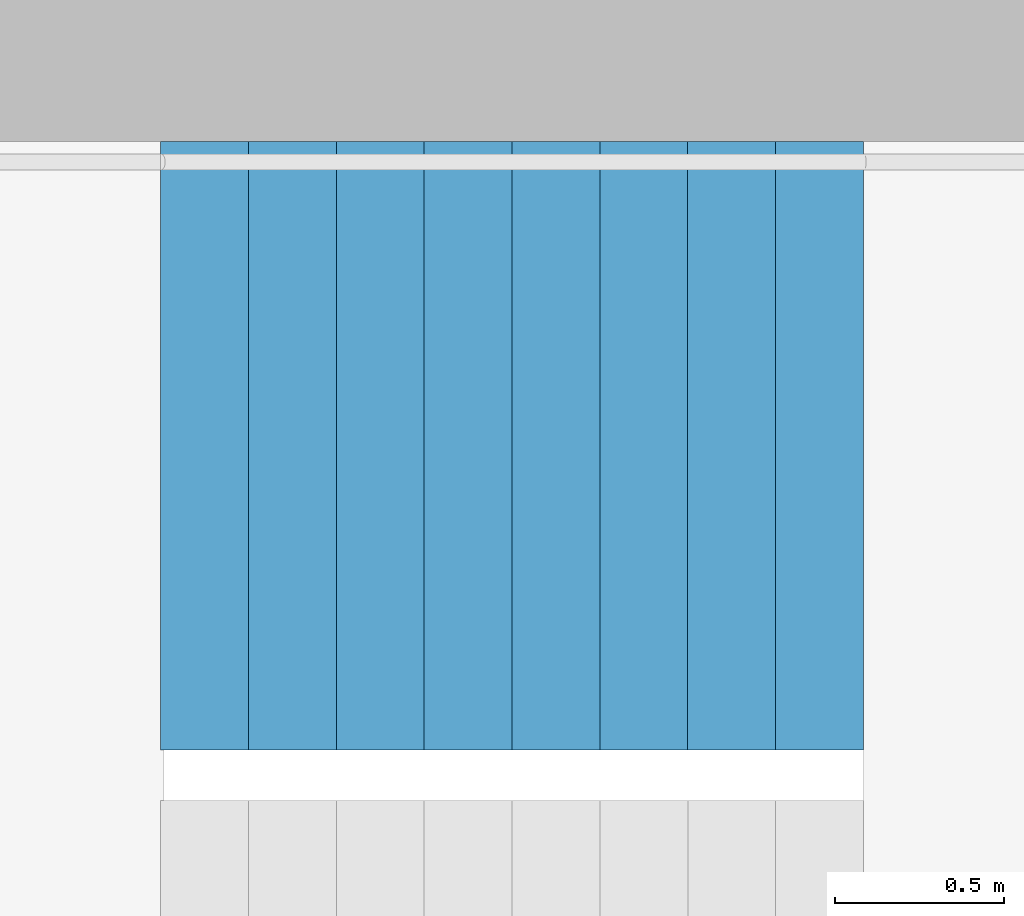
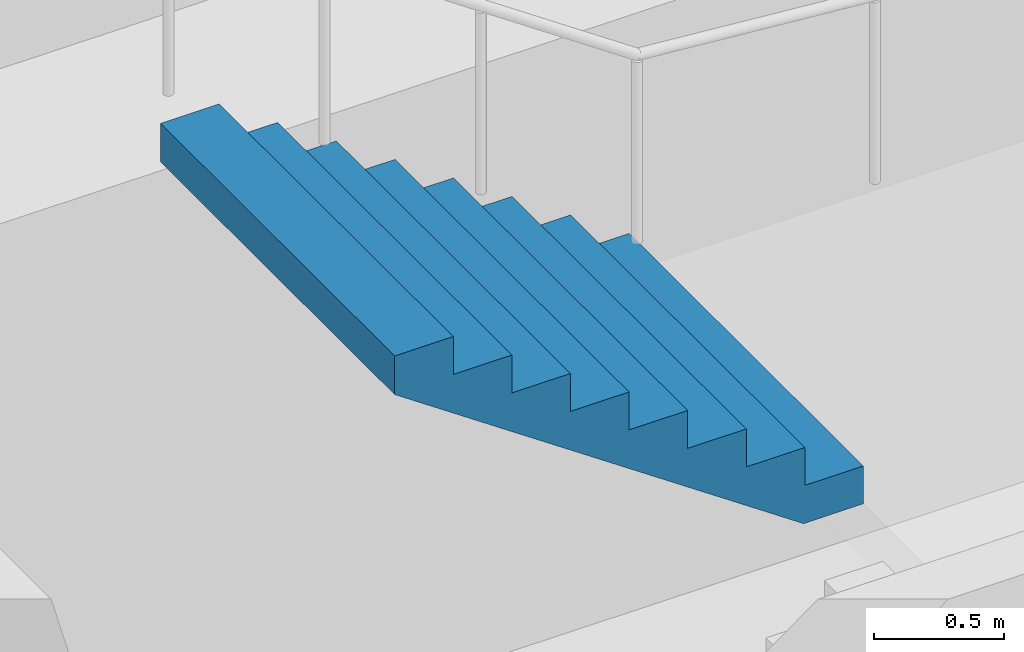
# One storey, part 24 of 36: 1 stair flight, 1 element without a shape of its own.
"""IFC4 building model written with IfcOpenShell, lengths in metres."""

from ifc_helpers import new_model, si_unit, direction, frame, origin, place, context, subcontext, project, spatial, triangles, material, type_object, element, aggregate, save


model = new_model("IFC4")

# Units and contexts
model_context = context("Model", 3, precision=1e-05, world=origin(), true_north=direction((0.0, 1.0)))
body_context = subcontext(model_context, "Body", "Model", "MODEL_VIEW")
ifc_project = project(units=[si_unit("LENGTHUNIT", "METRE"), si_unit("AREAUNIT", "SQUARE_METRE"), si_unit("VOLUMEUNIT", "CUBIC_METRE"), si_unit("PLANEANGLEUNIT", "RADIAN"), si_unit("MASSUNIT", "GRAM", prefix="KILO")], contexts=[model_context])

# Site, building, storey
site_placement = place(None, origin())
site = spatial("IfcSite", under=ifc_project, at=site_placement, CompositionType="ELEMENT")
building_placement = place(site_placement, origin())
building = spatial("IfcBuilding", under=site, at=building_placement, Name="Hakoniwa Tower and Hamabe Station Hall", CompositionType="ELEMENT")
storey_placement = place(building_placement, frame((0.0, 0.0, 26.199951171875)))
storey = spatial("IfcBuildingStorey", under=building, at=storey_placement, Name="L06", CompositionType="ELEMENT", Elevation=26.199951171875)

# Stair, stair flight
ifc_material_1 = material(Name="Concrete C40", Category="concrete")
stair_type = type_object("IfcStairType", Name="ESCAPE STAIR 1800", PredefinedType="HALF_TURN_STAIR", material=ifc_material_1)
stair_placement = place(storey_placement, origin())
stair = element("IfcStair", 1, at=stair_placement, inside=storey, type_object=stair_type, Name="Escape stair ST-1 L06", PredefinedType="HALF_TURN_STAIR")
ifc_material_2 = material(Name="Concrete C40", Category="concrete")
stair_flight_type = type_object("IfcStairFlightType", Name="STAIR FLIGHT 1800", PredefinedType="STRAIGHT", material=ifc_material_2)
stair_flight_placement = place(storey_placement, frame((-22.320068359375, 6.60009765625, 1.60009765625), z_axis=(0.0, 0.0, 1.0), x_axis=(-1.0, 0.0, 0.0)))
stair_flight = element("IfcStairFlight", 2, at=stair_flight_placement, type_object=stair_flight_type, Name="ST-1 flight 2", NumberOfRisers=9, NumberOfTreads=8, PredefinedType="STRAIGHT", RiserHeight=0.177777778, TreadLength=0.26, context=body_context, shape_type="Tessellation", body=[
    triangles([(0.0, 0.89990234375, 0.0), (0.260009765625, 0.89990234375, 0.0), (0.265625, 0.89990234375, 0.0), (0.52001953125, 0.89990234375, 0.174072265625), (0.780029296875, 0.89990234375, 0.351806640625), (1.0400390625, 0.89990234375, 0.529541015625), (1.300048828125, 0.89990234375, 0.707275390625), (1.56005859375, 0.89990234375, 0.885009765625), (1.820068359375, 0.89990234375, 1.062744140625), (2.080078125, 0.89990234375, 1.24072265625), (2.080078125, 0.89990234375, 1.422119140625), (1.820068359375, 0.89990234375, 1.422119140625), (1.820068359375, 0.89990234375, 1.244384765625), (1.56005859375, 0.89990234375, 1.244384765625), (1.56005859375, 0.89990234375, 1.066650390625), (1.300048828125, 0.89990234375, 1.066650390625), (1.300048828125, 0.89990234375, 0.888916015625), (1.0400390625, 0.89990234375, 0.888916015625), (1.0400390625, 0.89990234375, 0.711181640625), (0.780029296875, 0.89990234375, 0.711181640625), (0.780029296875, 0.89990234375, 0.533447265625), (0.52001953125, 0.89990234375, 0.533447265625), (0.52001953125, 0.89990234375, 0.35546875), (0.265625, 0.89990234375, 0.35546875), (0.260009765625, 0.89990234375, 0.35546875), (0.260009765625, 0.89990234375, 0.177734375), (0.0, 0.89990234375, 0.177734375), (0.0, 0.06005859375, 0.0), (0.260009765625, 0.06005859375, 0.0), (0.265625, 0.06005859375, 0.0), (0.52001953125, 0.06005859375, 0.174072265625), (0.780029296875, 0.06005859375, 0.351806640625), (1.0400390625, 0.06005859375, 0.529541015625), (1.300048828125, 0.06005859375, 0.707275390625), (1.56005859375, 0.06005859375, 0.885009765625), (1.820068359375, 0.06005859375, 1.062744140625), (2.080078125, 0.06005859375, 1.24072265625), (2.080078125, 0.06005859375, 1.422119140625), (1.820068359375, 0.06005859375, 1.422119140625), (1.820068359375, 0.06005859375, 1.244384765625), (1.56005859375, 0.06005859375, 1.244384765625), (1.56005859375, 0.06005859375, 1.066650390625), (1.300048828125, 0.06005859375, 1.066650390625), (1.300048828125, 0.06005859375, 0.888916015625), (1.0400390625, 0.06005859375, 0.888916015625), (1.0400390625, 0.06005859375, 0.711181640625), (0.780029296875, 0.06005859375, 0.711181640625), (0.780029296875, 0.06005859375, 0.533447265625), (0.52001953125, 0.06005859375, 0.533447265625), (0.52001953125, 0.06005859375, 0.35546875), (0.265625, 0.06005859375, 0.35546875), (0.260009765625, 0.06005859375, 0.35546875), (0.260009765625, 0.06005859375, 0.177734375), (0.0, 0.06005859375, 0.177734375), (0.0, 0.04296875, 0.0), (0.260009765625, 0.04296875, 0.0), (0.265625, 0.04296875, 0.0), (0.52001953125, 0.04296875, 0.174072265625), (0.780029296875, 0.04296875, 0.351806640625), (1.0400390625, 0.04296875, 0.529541015625), (1.300048828125, 0.04296875, 0.707275390625), (1.56005859375, 0.04296875, 0.885009765625), (1.820068359375, 0.04296875, 1.062744140625), (2.080078125, 0.04296875, 1.24072265625), (2.080078125, 0.04296875, 1.422119140625), (1.820068359375, 0.04296875, 1.422119140625), (1.820068359375, 0.04296875, 1.244384765625), (1.56005859375, 0.04296875, 1.244384765625), (1.56005859375, 0.04296875, 1.066650390625), (1.300048828125, 0.04296875, 1.066650390625), (1.300048828125, 0.04296875, 0.888916015625), (1.0400390625, 0.04296875, 0.888916015625), (1.0400390625, 0.04296875, 0.711181640625), (0.780029296875, 0.04296875, 0.711181640625), (0.780029296875, 0.04296875, 0.533447265625), (0.52001953125, 0.04296875, 0.533447265625), (0.52001953125, 0.04296875, 0.35546875), (0.265625, 0.04296875, 0.35546875), (0.260009765625, 0.04296875, 0.35546875), (0.260009765625, 0.04296875, 0.177734375), (0.0, 0.04296875, 0.177734375), (0.0, 0.025634765625, 0.0), (0.260009765625, 0.025634765625, 0.0), (0.265625, 0.025634765625, 0.0), (0.52001953125, 0.025634765625, 0.174072265625), (0.780029296875, 0.025634765625, 0.351806640625), (1.0400390625, 0.025634765625, 0.529541015625), (1.300048828125, 0.025634765625, 0.707275390625), (1.56005859375, 0.025634765625, 0.885009765625), (1.820068359375, 0.025634765625, 1.062744140625), (2.080078125, 0.025634765625, 1.24072265625), (2.080078125, 0.025634765625, 1.422119140625), (1.820068359375, 0.025634765625, 1.422119140625), (1.820068359375, 0.025634765625, 1.244384765625), (1.56005859375, 0.025634765625, 1.244384765625), (1.56005859375, 0.025634765625, 1.066650390625), (1.300048828125, 0.025634765625, 1.066650390625), (1.300048828125, 0.025634765625, 0.888916015625), (1.0400390625, 0.025634765625, 0.888916015625), (1.0400390625, 0.025634765625, 0.711181640625), (0.780029296875, 0.025634765625, 0.711181640625), (0.780029296875, 0.025634765625, 0.533447265625), (0.52001953125, 0.025634765625, 0.533447265625), (0.52001953125, 0.025634765625, 0.35546875), (0.265625, 0.025634765625, 0.35546875), (0.260009765625, 0.025634765625, 0.35546875), (0.260009765625, 0.025634765625, 0.177734375), (0.0, 0.025634765625, 0.177734375), (0.0, 0.008544921875, 0.0), (0.260009765625, 0.008544921875, 0.0), (0.265625, 0.008544921875, 0.0), (0.52001953125, 0.008544921875, 0.174072265625), (0.780029296875, 0.008544921875, 0.351806640625), (1.0400390625, 0.008544921875, 0.529541015625), (1.300048828125, 0.008544921875, 0.707275390625), (1.56005859375, 0.008544921875, 0.885009765625), (1.820068359375, 0.008544921875, 1.062744140625), (2.080078125, 0.008544921875, 1.24072265625), (2.080078125, 0.008544921875, 1.422119140625), (1.820068359375, 0.008544921875, 1.422119140625), (1.820068359375, 0.008544921875, 1.244384765625), (1.56005859375, 0.008544921875, 1.244384765625), (1.56005859375, 0.008544921875, 1.066650390625), (1.300048828125, 0.008544921875, 1.066650390625), (1.300048828125, 0.008544921875, 0.888916015625), (1.0400390625, 0.008544921875, 0.888916015625), (1.0400390625, 0.008544921875, 0.711181640625), (0.780029296875, 0.008544921875, 0.711181640625), (0.780029296875, 0.008544921875, 0.533447265625), (0.52001953125, 0.008544921875, 0.533447265625), (0.52001953125, 0.008544921875, 0.35546875), (0.265625, 0.008544921875, 0.35546875), (0.260009765625, 0.008544921875, 0.35546875), (0.260009765625, 0.008544921875, 0.177734375), (0.0, 0.008544921875, 0.177734375), (0.0, -0.008544921875, 0.0), (0.260009765625, -0.008544921875, 0.0), (0.265625, -0.008544921875, 0.0), (0.52001953125, -0.008544921875, 0.174072265625), (0.780029296875, -0.008544921875, 0.351806640625), (1.0400390625, -0.008544921875, 0.529541015625), (1.300048828125, -0.008544921875, 0.707275390625), (1.56005859375, -0.008544921875, 0.885009765625), (1.820068359375, -0.008544921875, 1.062744140625), (2.080078125, -0.008544921875, 1.24072265625), (2.080078125, -0.008544921875, 1.422119140625), (1.820068359375, -0.008544921875, 1.422119140625), (1.820068359375, -0.008544921875, 1.244384765625), (1.56005859375, -0.008544921875, 1.244384765625), (1.56005859375, -0.008544921875, 1.066650390625), (1.300048828125, -0.008544921875, 1.066650390625), (1.300048828125, -0.008544921875, 0.888916015625), (1.0400390625, -0.008544921875, 0.888916015625), (1.0400390625, -0.008544921875, 0.711181640625), (0.780029296875, -0.008544921875, 0.711181640625), (0.780029296875, -0.008544921875, 0.533447265625), (0.52001953125, -0.008544921875, 0.533447265625), (0.52001953125, -0.008544921875, 0.35546875), (0.265625, -0.008544921875, 0.35546875), (0.260009765625, -0.008544921875, 0.35546875), (0.260009765625, -0.008544921875, 0.177734375), (0.0, -0.008544921875, 0.177734375), (0.0, -0.025634765625, 0.0), (0.260009765625, -0.025634765625, 0.0), (0.265625, -0.025634765625, 0.0), (0.52001953125, -0.025634765625, 0.174072265625), (0.780029296875, -0.025634765625, 0.351806640625), (1.0400390625, -0.025634765625, 0.529541015625), (1.300048828125, -0.025634765625, 0.707275390625), (1.56005859375, -0.025634765625, 0.885009765625), (1.820068359375, -0.025634765625, 1.062744140625), (2.080078125, -0.025634765625, 1.24072265625), (2.080078125, -0.025634765625, 1.422119140625), (1.820068359375, -0.025634765625, 1.422119140625), (1.820068359375, -0.025634765625, 1.244384765625), (1.56005859375, -0.025634765625, 1.244384765625), (1.56005859375, -0.025634765625, 1.066650390625), (1.300048828125, -0.025634765625, 1.066650390625), (1.300048828125, -0.025634765625, 0.888916015625), (1.0400390625, -0.025634765625, 0.888916015625), (1.0400390625, -0.025634765625, 0.711181640625), (0.780029296875, -0.025634765625, 0.711181640625), (0.780029296875, -0.025634765625, 0.533447265625), (0.52001953125, -0.025634765625, 0.533447265625), (0.52001953125, -0.025634765625, 0.35546875), (0.265625, -0.025634765625, 0.35546875), (0.260009765625, -0.025634765625, 0.35546875), (0.260009765625, -0.025634765625, 0.177734375), (0.0, -0.025634765625, 0.177734375), (0.0, -0.04296875, 0.0), (0.260009765625, -0.04296875, 0.0), (0.265625, -0.04296875, 0.0), (0.52001953125, -0.04296875, 0.174072265625), (0.780029296875, -0.04296875, 0.351806640625), (1.0400390625, -0.04296875, 0.529541015625), (1.300048828125, -0.04296875, 0.707275390625), (1.56005859375, -0.04296875, 0.885009765625), (1.820068359375, -0.04296875, 1.062744140625), (2.080078125, -0.04296875, 1.24072265625), (2.080078125, -0.04296875, 1.422119140625), (1.820068359375, -0.04296875, 1.422119140625), (1.820068359375, -0.04296875, 1.244384765625), (1.56005859375, -0.04296875, 1.244384765625), (1.56005859375, -0.04296875, 1.066650390625), (1.300048828125, -0.04296875, 1.066650390625), (1.300048828125, -0.04296875, 0.888916015625), (1.0400390625, -0.04296875, 0.888916015625), (1.0400390625, -0.04296875, 0.711181640625), (0.780029296875, -0.04296875, 0.711181640625), (0.780029296875, -0.04296875, 0.533447265625), (0.52001953125, -0.04296875, 0.533447265625), (0.52001953125, -0.04296875, 0.35546875), (0.265625, -0.04296875, 0.35546875), (0.260009765625, -0.04296875, 0.35546875), (0.260009765625, -0.04296875, 0.177734375), (0.0, -0.04296875, 0.177734375), (0.0, -0.06005859375, 0.0), (0.260009765625, -0.06005859375, 0.0), (0.265625, -0.06005859375, 0.0), (0.52001953125, -0.06005859375, 0.174072265625), (0.780029296875, -0.06005859375, 0.351806640625), (1.0400390625, -0.06005859375, 0.529541015625), (1.300048828125, -0.06005859375, 0.707275390625), (1.56005859375, -0.06005859375, 0.885009765625), (1.820068359375, -0.06005859375, 1.062744140625), (2.080078125, -0.06005859375, 1.24072265625), (2.080078125, -0.06005859375, 1.422119140625), (1.820068359375, -0.06005859375, 1.422119140625), (1.820068359375, -0.06005859375, 1.244384765625), (1.56005859375, -0.06005859375, 1.244384765625), (1.56005859375, -0.06005859375, 1.066650390625), (1.300048828125, -0.06005859375, 1.066650390625), (1.300048828125, -0.06005859375, 0.888916015625), (1.0400390625, -0.06005859375, 0.888916015625), (1.0400390625, -0.06005859375, 0.711181640625), (0.780029296875, -0.06005859375, 0.711181640625), (0.780029296875, -0.06005859375, 0.533447265625), (0.52001953125, -0.06005859375, 0.533447265625), (0.52001953125, -0.06005859375, 0.35546875), (0.265625, -0.06005859375, 0.35546875), (0.260009765625, -0.06005859375, 0.35546875), (0.260009765625, -0.06005859375, 0.177734375), (0.0, -0.06005859375, 0.177734375), (0.0, -0.89990234375, 0.0), (0.260009765625, -0.89990234375, 0.0), (0.265625, -0.89990234375, 0.0), (0.52001953125, -0.89990234375, 0.174072265625), (0.780029296875, -0.89990234375, 0.351806640625), (1.0400390625, -0.89990234375, 0.529541015625), (1.300048828125, -0.89990234375, 0.707275390625), (1.56005859375, -0.89990234375, 0.885009765625), (1.820068359375, -0.89990234375, 1.062744140625), (2.080078125, -0.89990234375, 1.24072265625), (2.080078125, -0.89990234375, 1.422119140625), (1.820068359375, -0.89990234375, 1.422119140625), (1.820068359375, -0.89990234375, 1.244384765625), (1.56005859375, -0.89990234375, 1.244384765625), (1.56005859375, -0.89990234375, 1.066650390625), (1.300048828125, -0.89990234375, 1.066650390625), (1.300048828125, -0.89990234375, 0.888916015625), (1.0400390625, -0.89990234375, 0.888916015625), (1.0400390625, -0.89990234375, 0.711181640625), (0.780029296875, -0.89990234375, 0.711181640625), (0.780029296875, -0.89990234375, 0.533447265625), (0.52001953125, -0.89990234375, 0.533447265625), (0.52001953125, -0.89990234375, 0.35546875), (0.265625, -0.89990234375, 0.35546875), (0.260009765625, -0.89990234375, 0.35546875), (0.260009765625, -0.89990234375, 0.177734375), (0.0, -0.89990234375, 0.177734375)], [[2, 27, 26], [245, 269, 270], [2, 1, 27], [245, 270, 244], [3, 25, 24], [246, 267, 268], [3, 26, 25], [246, 268, 269], [3, 2, 26], [246, 269, 245], [4, 24, 23], [247, 266, 267], [4, 3, 24], [247, 267, 246], [5, 22, 21], [248, 264, 265], [5, 23, 22], [248, 265, 266], [5, 4, 23], [248, 266, 247], [6, 20, 19], [249, 262, 263], [6, 21, 20], [249, 263, 264], [6, 5, 21], [249, 264, 248], [7, 18, 17], [250, 260, 261], [7, 19, 18], [250, 261, 262], [7, 6, 19], [250, 262, 249], [8, 16, 15], [251, 258, 259], [8, 17, 16], [251, 259, 260], [8, 7, 17], [251, 260, 250], [9, 14, 13], [252, 256, 257], [9, 15, 14], [252, 257, 258], [9, 8, 15], [252, 258, 251], [10, 12, 11], [253, 254, 255], [10, 13, 12], [253, 255, 256], [10, 9, 13], [253, 256, 252], [1, 2, 29], [1, 29, 28], [28, 29, 56], [28, 56, 55], [55, 56, 83], [55, 83, 82], [82, 83, 110], [82, 110, 109], [109, 110, 137], [109, 137, 136], [136, 137, 164], [136, 164, 163], [163, 164, 191], [163, 191, 190], [190, 191, 218], [190, 218, 217], [217, 218, 245], [217, 245, 244], [2, 3, 30], [2, 30, 29], [29, 30, 57], [29, 57, 56], [56, 57, 84], [56, 84, 83], [83, 84, 111], [83, 111, 110], [110, 111, 138], [110, 138, 137], [137, 138, 165], [137, 165, 164], [164, 165, 192], [164, 192, 191], [191, 192, 219], [191, 219, 218], [218, 219, 246], [218, 246, 245], [3, 4, 31], [3, 31, 30], [30, 31, 58], [30, 58, 57], [57, 58, 85], [57, 85, 84], [84, 85, 112], [84, 112, 111], [111, 112, 139], [111, 139, 138], [138, 139, 166], [138, 166, 165], [165, 166, 193], [165, 193, 192], [192, 193, 220], [192, 220, 219], [219, 220, 247], [219, 247, 246], [4, 5, 32], [4, 32, 31], [31, 32, 59], [31, 59, 58], [58, 59, 86], [58, 86, 85], [85, 86, 113], [85, 113, 112], [112, 113, 140], [112, 140, 139], [139, 140, 167], [139, 167, 166], [166, 167, 194], [166, 194, 193], [193, 194, 221], [193, 221, 220], [220, 221, 248], [220, 248, 247], [5, 6, 33], [5, 33, 32], [32, 33, 60], [32, 60, 59], [59, 60, 87], [59, 87, 86], [86, 87, 114], [86, 114, 113], [113, 114, 141], [113, 141, 140], [140, 141, 168], [140, 168, 167], [167, 168, 195], [167, 195, 194], [194, 195, 222], [194, 222, 221], [221, 222, 249], [221, 249, 248], [6, 7, 34], [6, 34, 33], [33, 34, 61], [33, 61, 60], [60, 61, 88], [60, 88, 87], [87, 88, 115], [87, 115, 114], [114, 115, 142], [114, 142, 141], [141, 142, 169], [141, 169, 168], [168, 169, 196], [168, 196, 195], [195, 196, 223], [195, 223, 222], [222, 223, 250], [222, 250, 249], [7, 8, 35], [7, 35, 34], [34, 35, 62], [34, 62, 61], [61, 62, 89], [61, 89, 88], [88, 89, 116], [88, 116, 115], [115, 116, 143], [115, 143, 142], [142, 143, 170], [142, 170, 169], [169, 170, 197], [169, 197, 196], [196, 197, 224], [196, 224, 223], [223, 224, 251], [223, 251, 250], [8, 9, 36], [8, 36, 35], [35, 36, 63], [35, 63, 62], [62, 63, 90], [62, 90, 89], [89, 90, 117], [89, 117, 116], [116, 117, 144], [116, 144, 143], [143, 144, 171], [143, 171, 170], [170, 171, 198], [170, 198, 197], [197, 198, 225], [197, 225, 224], [224, 225, 252], [224, 252, 251], [9, 10, 37], [9, 37, 36], [36, 37, 64], [36, 64, 63], [63, 64, 91], [63, 91, 90], [90, 91, 118], [90, 118, 117], [117, 118, 145], [117, 145, 144], [144, 145, 172], [144, 172, 171], [171, 172, 199], [171, 199, 198], [198, 199, 226], [198, 226, 225], [225, 226, 253], [225, 253, 252], [10, 11, 38], [10, 38, 37], [37, 38, 65], [37, 65, 64], [64, 65, 92], [64, 92, 91], [91, 92, 119], [91, 119, 118], [118, 119, 146], [118, 146, 145], [145, 146, 173], [145, 173, 172], [172, 173, 200], [172, 200, 199], [199, 200, 227], [199, 227, 226], [226, 227, 254], [226, 254, 253], [11, 12, 39], [11, 39, 38], [38, 39, 66], [38, 66, 65], [65, 66, 93], [65, 93, 92], [92, 93, 120], [92, 120, 119], [119, 120, 147], [119, 147, 146], [146, 147, 174], [146, 174, 173], [173, 174, 201], [173, 201, 200], [200, 201, 228], [200, 228, 227], [227, 228, 255], [227, 255, 254], [12, 13, 40], [12, 40, 39], [39, 40, 67], [39, 67, 66], [66, 67, 94], [66, 94, 93], [93, 94, 121], [93, 121, 120], [120, 121, 148], [120, 148, 147], [147, 148, 175], [147, 175, 174], [174, 175, 202], [174, 202, 201], [201, 202, 229], [201, 229, 228], [228, 229, 256], [228, 256, 255], [13, 14, 41], [13, 41, 40], [40, 41, 68], [40, 68, 67], [67, 68, 95], [67, 95, 94], [94, 95, 122], [94, 122, 121], [121, 122, 149], [121, 149, 148], [148, 149, 176], [148, 176, 175], [175, 176, 203], [175, 203, 202], [202, 203, 230], [202, 230, 229], [229, 230, 257], [229, 257, 256], [14, 15, 42], [14, 42, 41], [41, 42, 69], [41, 69, 68], [68, 69, 96], [68, 96, 95], [95, 96, 123], [95, 123, 122], [122, 123, 150], [122, 150, 149], [149, 150, 177], [149, 177, 176], [176, 177, 204], [176, 204, 203], [203, 204, 231], [203, 231, 230], [230, 231, 258], [230, 258, 257], [15, 16, 43], [15, 43, 42], [42, 43, 70], [42, 70, 69], [69, 70, 97], [69, 97, 96], [96, 97, 124], [96, 124, 123], [123, 124, 151], [123, 151, 150], [150, 151, 178], [150, 178, 177], [177, 178, 205], [177, 205, 204], [204, 205, 232], [204, 232, 231], [231, 232, 259], [231, 259, 258], [16, 17, 44], [16, 44, 43], [43, 44, 71], [43, 71, 70], [70, 71, 98], [70, 98, 97], [97, 98, 125], [97, 125, 124], [124, 125, 152], [124, 152, 151], [151, 152, 179], [151, 179, 178], [178, 179, 206], [178, 206, 205], [205, 206, 233], [205, 233, 232], [232, 233, 260], [232, 260, 259], [17, 18, 45], [17, 45, 44], [44, 45, 72], [44, 72, 71], [71, 72, 99], [71, 99, 98], [98, 99, 126], [98, 126, 125], [125, 126, 153], [125, 153, 152], [152, 153, 180], [152, 180, 179], [179, 180, 207], [179, 207, 206], [206, 207, 234], [206, 234, 233], [233, 234, 261], [233, 261, 260], [18, 19, 46], [18, 46, 45], [45, 46, 73], [45, 73, 72], [72, 73, 100], [72, 100, 99], [99, 100, 127], [99, 127, 126], [126, 127, 154], [126, 154, 153], [153, 154, 181], [153, 181, 180], [180, 181, 208], [180, 208, 207], [207, 208, 235], [207, 235, 234], [234, 235, 262], [234, 262, 261], [19, 20, 47], [19, 47, 46], [46, 47, 74], [46, 74, 73], [73, 74, 101], [73, 101, 100], [100, 101, 128], [100, 128, 127], [127, 128, 155], [127, 155, 154], [154, 155, 182], [154, 182, 181], [181, 182, 209], [181, 209, 208], [208, 209, 236], [208, 236, 235], [235, 236, 263], [235, 263, 262], [20, 21, 48], [20, 48, 47], [47, 48, 75], [47, 75, 74], [74, 75, 102], [74, 102, 101], [101, 102, 129], [101, 129, 128], [128, 129, 156], [128, 156, 155], [155, 156, 183], [155, 183, 182], [182, 183, 210], [182, 210, 209], [209, 210, 237], [209, 237, 236], [236, 237, 264], [236, 264, 263], [21, 22, 49], [21, 49, 48], [48, 49, 76], [48, 76, 75], [75, 76, 103], [75, 103, 102], [102, 103, 130], [102, 130, 129], [129, 130, 157], [129, 157, 156], [156, 157, 184], [156, 184, 183], [183, 184, 211], [183, 211, 210], [210, 211, 238], [210, 238, 237], [237, 238, 265], [237, 265, 264], [22, 23, 50], [22, 50, 49], [49, 50, 77], [49, 77, 76], [76, 77, 104], [76, 104, 103], [103, 104, 131], [103, 131, 130], [130, 131, 158], [130, 158, 157], [157, 158, 185], [157, 185, 184], [184, 185, 212], [184, 212, 211], [211, 212, 239], [211, 239, 238], [238, 239, 266], [238, 266, 265], [23, 24, 51], [23, 51, 50], [50, 51, 78], [50, 78, 77], [77, 78, 105], [77, 105, 104], [104, 105, 132], [104, 132, 131], [131, 132, 159], [131, 159, 158], [158, 159, 186], [158, 186, 185], [185, 186, 213], [185, 213, 212], [212, 213, 240], [212, 240, 239], [239, 240, 267], [239, 267, 266], [24, 25, 52], [24, 52, 51], [51, 52, 79], [51, 79, 78], [78, 79, 106], [78, 106, 105], [105, 106, 133], [105, 133, 132], [132, 133, 160], [132, 160, 159], [159, 160, 187], [159, 187, 186], [186, 187, 214], [186, 214, 213], [213, 214, 241], [213, 241, 240], [240, 241, 268], [240, 268, 267], [25, 26, 53], [25, 53, 52], [52, 53, 80], [52, 80, 79], [79, 80, 107], [79, 107, 106], [106, 107, 134], [106, 134, 133], [133, 134, 161], [133, 161, 160], [160, 161, 188], [160, 188, 187], [187, 188, 215], [187, 215, 214], [214, 215, 242], [214, 242, 241], [241, 242, 269], [241, 269, 268], [26, 27, 54], [26, 54, 53], [53, 54, 81], [53, 81, 80], [80, 81, 108], [80, 108, 107], [107, 108, 135], [107, 135, 134], [134, 135, 162], [134, 162, 161], [161, 162, 189], [161, 189, 188], [188, 189, 216], [188, 216, 215], [215, 216, 243], [215, 243, 242], [242, 243, 270], [242, 270, 269], [27, 1, 28], [27, 28, 54], [54, 28, 55], [54, 55, 81], [81, 55, 82], [81, 82, 108], [108, 82, 109], [108, 109, 135], [135, 109, 136], [135, 136, 162], [162, 136, 163], [162, 163, 189], [189, 163, 190], [189, 190, 216], [216, 190, 217], [216, 217, 243], [243, 217, 244], [243, 244, 270]], closed=True),
])
aggregate(stair, [stair_flight])

save(model, "model.ifc")
